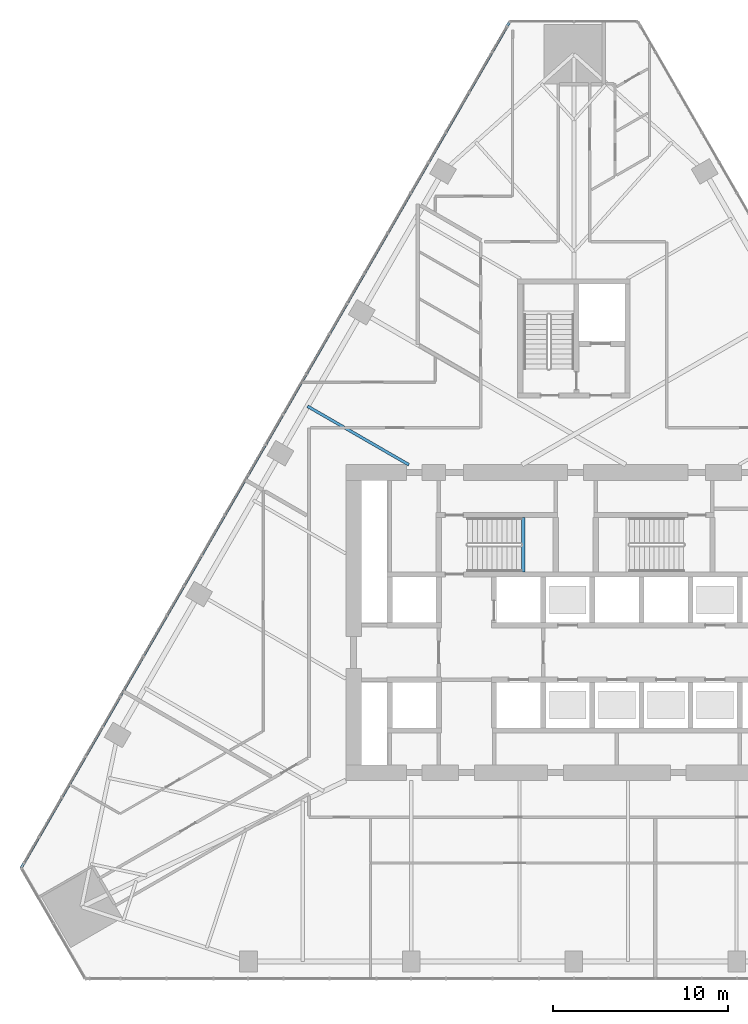
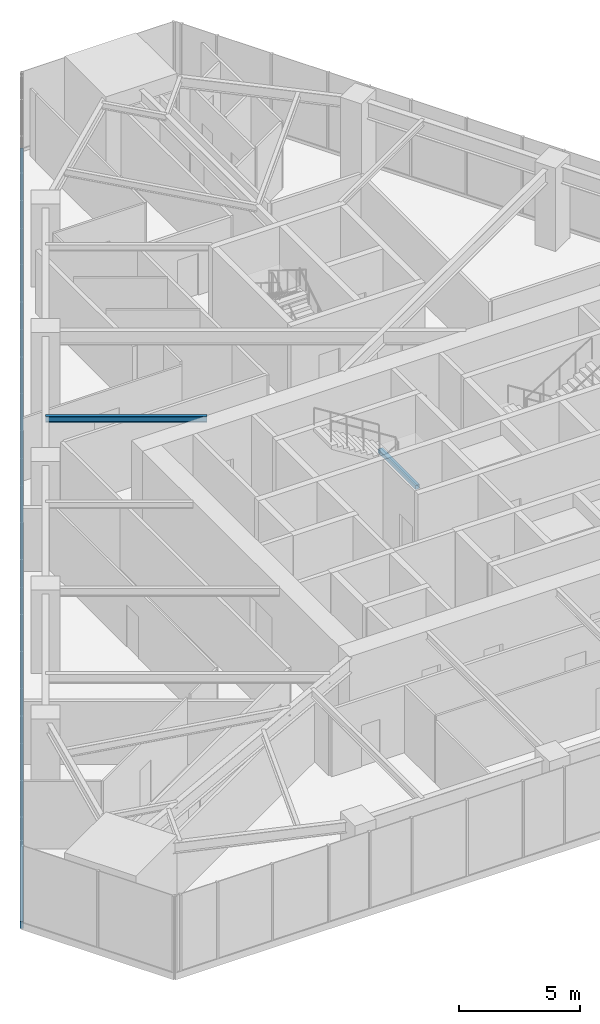
# One storey, part 5 of 22: 2 beams, 1 member, 1 element without a shape of its own.
"""IFC4 building model written with IfcOpenShell, lengths in metres."""

from ifc_helpers import new_model, si_unit, direction, frame, origin, origin_2d, place, context, subcontext, project, spatial, rectangle, i_section, extrude, material, layer, layer_set, material_profile, profile_set, type_object, element, aggregate, save


model = new_model("IFC4")

# Units and contexts
model_context = context("Model", 3, precision=1e-05, world=origin(), true_north=direction((0.0, 1.0)))
body_context = subcontext(model_context, "Body", "Model", "MODEL_VIEW")
ifc_project = project(units=[si_unit("LENGTHUNIT", "METRE"), si_unit("AREAUNIT", "SQUARE_METRE"), si_unit("VOLUMEUNIT", "CUBIC_METRE"), si_unit("PLANEANGLEUNIT", "RADIAN"), si_unit("MASSUNIT", "GRAM", prefix="KILO")], contexts=[model_context])

# Site, building, storey
site_placement = place(None, origin())
site = spatial("IfcSite", under=ifc_project, at=site_placement, CompositionType="ELEMENT")
building_placement = place(site_placement, origin())
building = spatial("IfcBuilding", under=site, at=building_placement, Name="Firuza Gate Tower and Library", CompositionType="ELEMENT")
storey_placement = place(building_placement, frame((0.0, 0.0, 132.39990234375)))
storey = spatial("IfcBuildingStorey", under=building, at=storey_placement, Name="L30", CompositionType="ELEMENT", Elevation=132.39990234375)

# Curtain wall, member
ifc_material_1 = material(Name="Aluminium 6063-T6", Category="aluminium")
ifc_layer = layer(ifc_material_1, 0.14990234375)
ifc_layer_set = layer_set([ifc_layer], Name="Unitised curtain wall, offices")
curtain_wall_type = type_object("IfcCurtainWallType", Name="Unitised curtain wall, offices", PredefinedType="NOTDEFINED", material=ifc_layer_set)
curtain_wall_placement = place(storey_placement, origin())
curtain_wall = element("IfcCurtainWall", 1, at=curtain_wall_placement, inside=storey, type_object=curtain_wall_type, Name="CW1 L30 W face", PredefinedType="NOTDEFINED")
ifc_material_2 = material(Name="Aluminium 6063-T6", Category="aluminium")
ifc_material_profile_1 = material_profile(ifc_material_2, rectangle(XDim=0.14990234375, YDim=0.35009765625, at=origin_2d()))
ifc_profile_set_1 = profile_set([ifc_material_profile_1], Name="Aluminium 6063-T6")
member_type = type_object("IfcMemberType", Name="Curtain wall transom 350x150", PredefinedType="USERDEFINED", material=ifc_profile_set_1)
member_placement = place(storey_placement, frame((71.356689453125, 109.273681640625, -0.02490234375), z_axis=(-0.499998060823, -0.866026523366, 0.0), x_axis=(0.866026523366, -0.499998060823, 0.0)))
member = element("IfcMember", 2, at=member_placement, type_object=member_type, Name="Transom", ObjectType="TRANSOM", PredefinedType="USERDEFINED", context=body_context, shape_type="SweptSolid", body=[
    extrude(rectangle(XDim=0.14990234375, YDim=0.35009765625, at=origin_2d()), origin(), (0.0, 0.0, 1.0), 55.720458984375),
])
aggregate(curtain_wall, [member])

# Beams
ifc_material_3 = material(Name="Concrete C35/45", Category="concrete")
ifc_material_profile_2 = material_profile(ifc_material_3, rectangle(XDim=0.199951171875, YDim=0.199951171875, at=origin_2d()))
ifc_profile_set_2 = profile_set([ifc_material_profile_2], Name="Concrete C35/45")
beam_type_1 = type_object("IfcBeamType", Name="Stair landing bearer 200x200", PredefinedType="BEAM", material=ifc_profile_set_2)
beam_1_placement = place(storey_placement, frame((72.1201171875, 77.89990234375, 1.800048828125), z_axis=(0.0, 1.0, 0.0), x_axis=(-1.0, 0.0, 0.0)))
element("IfcBeam", 3, at=beam_1_placement, inside=storey, type_object=beam_type_1, Name="Landing bearer L30 stair 1", PredefinedType="BEAM", context=body_context, shape_type="SweptSolid", body=[
    extrude(rectangle(XDim=0.199951171875, YDim=0.199951171875, at=origin_2d()), origin(), (0.0, 0.0, 1.0), 3.080078125),
])
ifc_material_4 = material(Name="Steel S355", Category="steel")
ifc_material_profile_3 = material_profile(ifc_material_4, i_section(OverallWidth=0.1650390625, OverallDepth=0.31005859375, WebThickness=0.005859375, FlangeThickness=0.009765625, at=origin_2d()))
ifc_profile_set_3 = profile_set([ifc_material_profile_3], Name="Steel S355")
beam_type_2 = type_object("IfcBeamType", Name="W310x39 Floor beam", PredefinedType="JOIST", material=ifc_profile_set_3)
beam_2_placement = place(storey_placement, frame((59.81640625, 87.335205078125, 3.84521484375), z_axis=(0.866020406929, -0.500008654708, 0.0), x_axis=(0.500008654708, 0.866020406929, 0.0)))
element("IfcBeam", 4, at=beam_2_placement, inside=storey, type_object=beam_type_2, Name="Floor beam L30 s82", PredefinedType="JOIST", context=body_context, shape_type="SweptSolid", body=[
    extrude(i_section(OverallWidth=0.1650390625, OverallDepth=0.31005859375, WebThickness=0.005859375, FlangeThickness=0.009765625, at=origin_2d()), origin(), (0.0, 0.0, 1.0), 6.67041015625),
])

save(model, "model.ifc")
